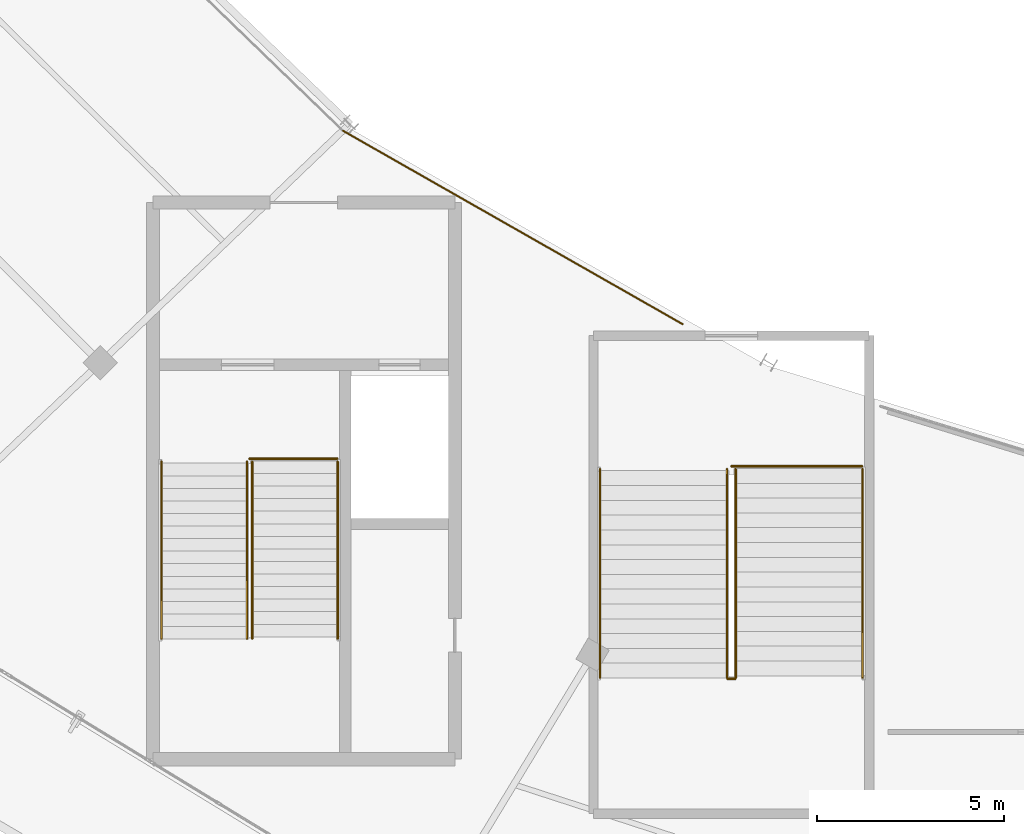
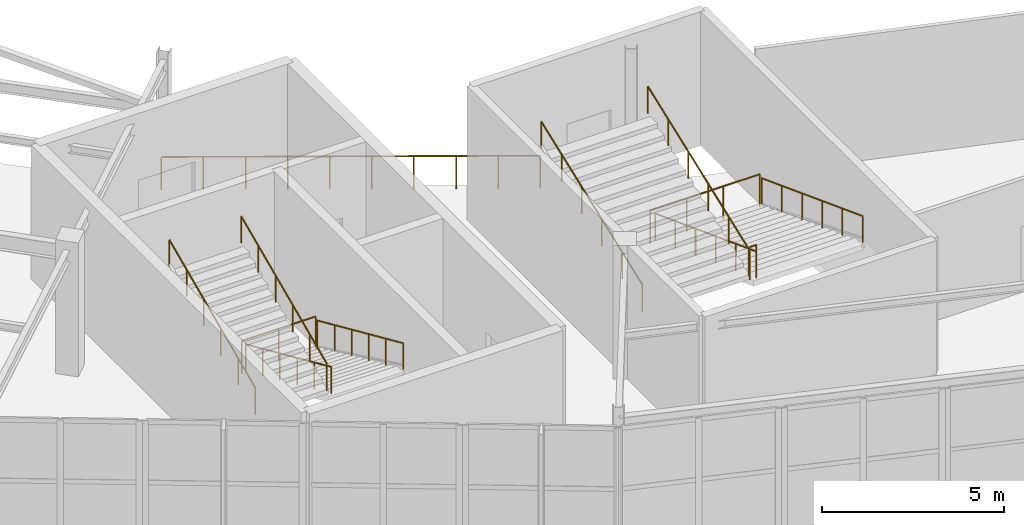
# One storey, part 116 of 126: 12 railings.
"""IFC4 building model written with IfcOpenShell, lengths in metres."""

import ifcopenshell
import ifcopenshell.guid

model = None  # the IFC model being written
_history = None  # IfcOwnerHistory: only IFC2X3 demands one
_inside = {}  # id of a spatial element -> (the spatial element, [elements in it])
_under = {}  # id of a project, library or spatial element -> (it, [spatial elements below it])
_declared = {}  # id of a project -> (the project, [libraries it declares])
_typed = {}  # id of a type object -> (the type object, [elements of that type])
_made_of = {}  # id of a material, layer set ... -> (it, [elements and type objects made of it])


def new_model(schema):
    """Start an empty IFC model of exactly this schema.

    Asked for "IFC4X3", IfcOpenShell would pick the latest addendum, in which some entities
    have other attributes; the version numbers below select the first issue.
    IFC2X3 requires an IfcOwnerHistory on every rooted entity: one is made here for all.
    """
    global model, _history
    if schema == "IFC4X3":
        model = ifcopenshell.file(schema_version=(4, 3, 0, 0))
    else:
        model = ifcopenshell.file(schema=schema)
    _inside.clear()
    _under.clear()
    _declared.clear()
    _typed.clear()
    _made_of.clear()
    _history = None
    if model.schema == "IFC2X3":
        org = make("IfcOrganization", Name="unknown")
        user = make(
            "IfcPersonAndOrganization",
            ThePerson=make("IfcPerson", FamilyName="unknown"),
            TheOrganization=org,
        )
        app = make(
            "IfcApplication",
            ApplicationDeveloper=org,
            Version="unknown",
            ApplicationFullName="unknown",
            ApplicationIdentifier="unknown",
        )
        _history = make(
            "IfcOwnerHistory",
            OwningUser=user,
            OwningApplication=app,
            ChangeAction="ADDED",
            CreationDate=0,
        )
    return model


def make(cls, **values):
    """One entity of the class cls with the attributes given. An attribute that is None is left unset."""
    return model.create_entity(
        cls, **{name: value for name, value in values.items() if value is not None}
    )


def rooted(cls, **values):
    """An entity with a GlobalId (a new one), such as an element, a storey or a relation."""
    return make(cls, GlobalId=ifcopenshell.guid.new(), OwnerHistory=_history, **values)


def si_unit(unit_type, name, prefix=None):
    """IfcSIUnit, for example si_unit("LENGTHUNIT", "METRE", prefix="MILLI")."""
    return make("IfcSIUnit", UnitType=unit_type, Prefix=prefix, Name=name)


def assignment(units):
    """IfcUnitAssignment: the units of a project."""
    return None if units is None else make("IfcUnitAssignment", Units=units)


def point(xyz):
    """IfcCartesianPoint."""
    return None if xyz is None else make("IfcCartesianPoint", Coordinates=xyz)


def direction(xyz):
    """IfcDirection."""
    return None if xyz is None else make("IfcDirection", DirectionRatios=xyz)


def frame(location, z_axis=None, x_axis=None):
    """IfcAxis2Placement3D, a coordinate frame: its origin and axes. An axis left out is left unset."""
    return make(
        "IfcAxis2Placement3D",
        Location=point(location),
        Axis=direction(z_axis),
        RefDirection=direction(x_axis),
    )


def frame_2d(location, x_axis=None):
    """IfcAxis2Placement2D, a coordinate frame in the plane: its origin and x axis."""
    return make(
        "IfcAxis2Placement2D", Location=point(location), RefDirection=direction(x_axis)
    )


def origin():
    """The frame at (0, 0, 0) with its axes left unset."""
    return frame((0.0, 0.0, 0.0))


def origin_2d():
    """The frame at (0, 0) in the plane with its x axis left unset."""
    return frame_2d((0.0, 0.0))


def place(relative_to, where):
    """IfcLocalPlacement: puts the frame where relative to a parent placement (None: the world)."""
    return make(
        "IfcLocalPlacement", PlacementRelTo=relative_to, RelativePlacement=where
    )


def context(
    kind, dimensions, precision=None, world=None, true_north=None, identifier=None
):
    """IfcGeometricRepresentationContext, for example the 3D "Model" context."""
    return make(
        "IfcGeometricRepresentationContext",
        ContextIdentifier=identifier,
        ContextType=kind,
        CoordinateSpaceDimension=dimensions,
        Precision=precision,
        WorldCoordinateSystem=world,
        TrueNorth=true_north,
    )


def subcontext(parent, identifier, kind, view, scale=None):
    """IfcGeometricRepresentationSubContext, for example "Body" below "Model"."""
    return make(
        "IfcGeometricRepresentationSubContext",
        ContextIdentifier=identifier,
        ContextType=kind,
        ParentContext=parent,
        TargetScale=scale,
        TargetView=view,
    )


def project(units=None, contexts=None):
    """IfcProject with its units and contexts."""
    return rooted(
        "IfcProject",
        Name="project",
        RepresentationContexts=contexts,
        UnitsInContext=assignment(units),
    )


def spatial(cls, under=None, at=None, **own):
    """A site, building, storey or space (cls), placed at a placement, below another one or the project."""
    s = rooted(cls, ObjectPlacement=at, **own)
    if under is not None:
        _under.setdefault(under.id(), (under, []))[1].append(s)
    return s


def profile(cls, at=None, kind="AREA", **sizes):
    """A parametric profile (cls). Its sizes go by their IFC names, for example OverallWidth=200.0."""
    return make(cls, ProfileType=kind, Position=at, **sizes)


def circle(**sizes):
    """IfcCircleProfileDef."""
    return profile("IfcCircleProfileDef", **sizes)


def extrude(swept, where, along, depth):
    """IfcExtrudedAreaSolid: the profile swept, set in the frame where, extruded along a direction by depth."""
    return make(
        "IfcExtrudedAreaSolid",
        SweptArea=swept,
        Position=where,
        ExtrudedDirection=direction(along),
        Depth=depth,
    )


def shape(context_of_items, identifier, shape_type, items):
    """IfcShapeRepresentation: the items that make up one representation, for example the "Body"."""
    return make(
        "IfcShapeRepresentation",
        ContextOfItems=context_of_items,
        RepresentationIdentifier=identifier,
        RepresentationType=shape_type,
        Items=items,
    )


def material(Name=None, Category=None):
    """IfcMaterial."""
    return make("IfcMaterial", Name=Name, Category=Category)


def made_of(thing, what):
    """Note that an element or type object is made of a material, layer set ...; save() writes the relation."""
    if what is not None:
        _made_of.setdefault(what.id(), (what, []))[1].append(thing)
    return thing


def type_object(cls, material=None, **own):
    """A type object (cls), such as IfcWallType, which elements share."""
    return made_of(rooted(cls, **own), material)


def element(
    cls,
    number,
    at=None,
    inside=None,
    cuts=None,
    type_object=None,
    material=None,
    context=None,
    identifier="Body",
    shape_type=None,
    held_by="IfcProductDefinitionShape",
    body=None,
    shapes=None,
    **own,
):
    """One element of the class cls, such as IfcWall. Its Tag is "e" and its number.

    at: its placement. inside: the storey or other place that contains it. cuts: it is an
    opening in that element (IfcRelVoidsElement). A single representation is given by context,
    identifier, shape_type and body (its items); several are given by shapes. held_by: the class
    of the entity that holds the representations. save() writes the other relations.
    """
    e = rooted(cls, Tag="e%d" % number, ObjectPlacement=at, **own)
    if body is not None:
        shapes = [shape(context, identifier, shape_type, body)]
    if shapes is not None:
        e.Representation = make(held_by, Representations=shapes)
    if inside is not None:
        _inside.setdefault(inside.id(), (inside, []))[1].append(e)
    if cuts is not None:
        rooted(
            "IfcRelVoidsElement", RelatingBuildingElement=cuts, RelatedOpeningElement=e
        )
    if type_object is not None:
        _typed.setdefault(type_object.id(), (type_object, []))[1].append(e)
    return made_of(e, material)


def aggregate(whole, parts):
    """IfcRelAggregates: a whole, such as a stair, and the parts it consists of."""
    return rooted("IfcRelAggregates", RelatingObject=whole, RelatedObjects=parts)


def save(model, path):
    """Write the relations noted so far, then the file.

    IfcRelAggregates (storeys below a building ...), IfcRelContainedInSpatialStructure (elements
    in a storey), IfcRelDefinesByType, IfcRelAssociatesMaterial and IfcRelDeclares: one each for
    every whole, place, type object, material and project.
    """
    for whole, parts in _under.values():
        aggregate(whole, parts)
    for where, things in _inside.values():
        rooted(
            "IfcRelContainedInSpatialStructure",
            RelatedElements=things,
            RelatingStructure=where,
        )
    for kind, things in _typed.values():
        rooted("IfcRelDefinesByType", RelatedObjects=things, RelatingType=kind)
    for what, things in _made_of.values():
        rooted("IfcRelAssociatesMaterial", RelatedObjects=things, RelatingMaterial=what)
    for by, libraries in _declared.values():
        rooted("IfcRelDeclares", RelatingContext=by, RelatedDefinitions=libraries)
    model.write(path)


model = new_model("IFC4")

# Units and contexts
model_context = context("Model", 3, precision=1e-05, world=origin(), true_north=direction((0.0, 1.0)))
body_context = subcontext(model_context, "Body", "Model", "MODEL_VIEW")
ifc_project = project(units=[si_unit("LENGTHUNIT", "METRE"), si_unit("AREAUNIT", "SQUARE_METRE"), si_unit("VOLUMEUNIT", "CUBIC_METRE"), si_unit("PLANEANGLEUNIT", "RADIAN"), si_unit("MASSUNIT", "GRAM", prefix="KILO")], contexts=[model_context])

# Site, building, storey
site_placement = place(None, origin())
site = spatial("IfcSite", under=ifc_project, at=site_placement, CompositionType="ELEMENT")
building_placement = place(site_placement, origin())
building = spatial("IfcBuilding", under=site, at=building_placement, Name="Kalgoora Escarpment Arena", CompositionType="ELEMENT")
storey_placement = place(building_placement, frame((0.0, 0.0, 18.89990234375)))
storey = spatial("IfcBuildingStorey", under=building, at=storey_placement, Name="L04", CompositionType="ELEMENT", Elevation=18.89990234375)

# Railings
ifc_material_1 = material(Name="Galvanised & powdercoated tubular steel", Category="steel")
railing_type_1 = type_object("IfcRailingType", Name="RAL-GUARD-1120", PredefinedType="GUARDRAIL", material=ifc_material_1)
railing_1_placement = place(storey_placement, frame((53.889892578125, 26.7900390625, 0.0)))
element("IfcRailing", 1, at=railing_1_placement, inside=storey, type_object=railing_type_1, Name="ST05 L04 floor landing well guard", PredefinedType="GUARDRAIL", context=body_context, shape_type="SweptSolid", body=[
    extrude(circle(Radius=0.02392578125, at=origin_2d()), frame((0.0, 0.0, 1.09619140625), z_axis=(-1.0, 0.0, 0.0), x_axis=(0.0, -1.0, 0.0)), (0.0, 0.0, 1.0), 2.33984375),
    extrude(circle(Radius=0.02099609375, at=origin_2d()), origin(), (0.0, 0.0, 1.0), 1.072021484375),
    extrude(circle(Radius=0.02099609375, at=origin_2d()), frame((-1.169921875, 0.0, 0.0)), (0.0, 0.0, 1.0), 1.072021484375),
    extrude(circle(Radius=0.02099609375, at=origin_2d()), frame((-2.33984375, 0.0, 0.0)), (0.0, 0.0, 1.0), 1.072021484375),
])
railing_2_placement = place(storey_placement, frame((64.5048828125, 20.919921875, 2.25)))
element("IfcRailing", 2, at=railing_2_placement, inside=storey, type_object=railing_type_1, Name="ST13 L04 half-landing well guard", PredefinedType="GUARDRAIL", context=body_context, shape_type="SweptSolid", body=[
    extrude(circle(Radius=0.02392578125, at=origin_2d()), frame((0.0, 0.0, 1.09619140625), z_axis=(-1.0, 0.0, 0.0), x_axis=(0.0, -1.0, 0.0)), (0.0, 0.0, 1.0), 0.2099609375),
    extrude(circle(Radius=0.02099609375, at=origin_2d()), origin(), (0.0, 0.0, 1.0), 1.072021484375),
    extrude(circle(Radius=0.02099609375, at=origin_2d()), frame((-0.2099609375, 0.0, 0.0)), (0.0, 0.0, 1.0), 1.072021484375),
])
railing_3_placement = place(storey_placement, frame((67.889892578125, 26.590087890625, 0.0)))
element("IfcRailing", 3, at=railing_3_placement, inside=storey, type_object=railing_type_1, Name="ST13 L04 floor landing well guard", PredefinedType="GUARDRAIL", context=body_context, shape_type="SweptSolid", body=[
    extrude(circle(Radius=0.02392578125, at=origin_2d()), frame((0.0, 0.0, 1.09619140625), z_axis=(-1.0, 0.0, 0.0), x_axis=(0.0, -1.0, 0.0)), (0.0, 0.0, 1.0), 3.489990234375),
    extrude(circle(Radius=0.02099609375, at=origin_2d()), origin(), (0.0, 0.0, 1.0), 1.072021484375),
    extrude(circle(Radius=0.02099609375, at=origin_2d()), frame((-1.163330078125, 0.0, 0.0)), (0.0, 0.0, 1.0), 1.072021484375),
    extrude(circle(Radius=0.02099609375, at=origin_2d()), frame((-2.32666015625, 0.0, 0.0)), (0.0, 0.0, 1.0), 1.072021484375),
    extrude(circle(Radius=0.02099609375, at=origin_2d()), frame((-3.489990234375, 0.0, 0.0)), (0.0, 0.0, 1.0), 1.072021484375),
])
railing_4_placement = place(storey_placement, frame((54.03955078125, 35.5390625, 0.0)))
element("IfcRailing", 4, at=railing_4_placement, inside=storey, type_object=railing_type_1, Name="L04 concourse bowl balustrade 16", PredefinedType="GUARDRAIL", context=body_context, shape_type="SweptSolid", body=[
    extrude(circle(Radius=0.02392578125, at=origin_2d()), frame((0.0, 0.0, 1.09619140625), z_axis=(0.869025858852, -0.494766668892, 0.0), x_axis=(0.494766668892, 0.869025858852, 0.0)), (0.0, 0.0, 1.0), 10.427490234375),
    extrude(circle(Radius=0.02099609375, at=origin_2d()), origin(), (0.0, 0.0, 1.0), 1.072021484375),
    extrude(circle(Radius=0.02099609375, at=origin_2d()), frame((1.0068359375, -0.5732421875, 0.0)), (0.0, 0.0, 1.0), 1.072021484375),
    extrude(circle(Radius=0.02099609375, at=origin_2d()), frame((2.013671875, -1.146484375, 0.0)), (0.0, 0.0, 1.0), 1.072021484375),
    extrude(circle(Radius=0.02099609375, at=origin_2d()), frame((3.0205078125, -1.7197265625, 0.0)), (0.0, 0.0, 1.0), 1.072021484375),
    extrude(circle(Radius=0.02099609375, at=origin_2d()), frame((4.02734375, -2.29296875, 0.0)), (0.0, 0.0, 1.0), 1.072021484375),
    extrude(circle(Radius=0.02099609375, at=origin_2d()), frame((5.034423828125, -2.8662109375, 0.0)), (0.0, 0.0, 1.0), 1.072021484375),
    extrude(circle(Radius=0.02099609375, at=origin_2d()), frame((6.041259765625, -3.439453125, 0.0)), (0.0, 0.0, 1.0), 1.072021484375),
    extrude(circle(Radius=0.02099609375, at=origin_2d()), frame((7.048095703125, -4.0126953125, 0.0)), (0.0, 0.0, 1.0), 1.072021484375),
    extrude(circle(Radius=0.02099609375, at=origin_2d()), frame((8.054931640625, -4.5859375, 0.0)), (0.0, 0.0, 1.0), 1.072021484375),
    extrude(circle(Radius=0.02099609375, at=origin_2d()), frame((9.061767578125, -5.1591796875, 0.0)), (0.0, 0.0, 1.0), 1.072021484375),
])
ifc_material_2 = material(Name="Brushed stainless steel 316 handrail", Category="steel")
railing_type_2 = type_object("IfcRailingType", Name="RAL-HAND-920", PredefinedType="HANDRAIL", material=ifc_material_2)
for number, where, name in (
    (5, (53.89990234375, 26.7099609375, 0.110107421875), "ST05 L04 pitched stair handrail F1L"),
    (6, (51.6201171875, 26.7099609375, 0.110107421875), "ST05 L04 pitched stair handrail F1R"),
):
    element("IfcRailing", number, at=place(storey_placement, frame(where)), inside=storey, type_object=railing_type_2, Name=name, PredefinedType="HANDRAIL", context=body_context, shape_type="SweptSolid", body=[
        extrude(circle(Radius=0.02392578125, at=origin_2d()), frame((0.0, 0.0, 0.89599609375), z_axis=(0.0, -0.913643874524, 0.406515523129), x_axis=(1.0, 0.0, 0.0)), (0.0, 0.0, 1.0), 5.166015625),
        extrude(circle(Radius=0.02099609375, at=origin_2d()), origin(), (0.0, 0.0, 1.0), 0.871826171875),
        extrude(circle(Radius=0.02099609375, at=origin_2d()), frame((0.0, -0.944091796875, 0.419921875)), (0.0, 0.0, 1.0), 0.871826171875),
        extrude(circle(Radius=0.02099609375, at=origin_2d()), frame((0.0, -1.887939453125, 0.840087890625)), (0.0, 0.0, 1.0), 0.871826171875),
        extrude(circle(Radius=0.02099609375, at=origin_2d()), frame((0.0, -2.83203125, 1.260009765625)), (0.0, 0.0, 1.0), 0.871826171875),
        extrude(circle(Radius=0.02099609375, at=origin_2d()), frame((0.0, -3.77587890625, 1.68017578125)), (0.0, 0.0, 1.0), 0.871826171875),
        extrude(circle(Radius=0.02099609375, at=origin_2d()), frame((0.0, -4.719970703125, 2.10009765625)), (0.0, 0.0, 1.0), 0.871826171875),
    ])
for number, where, name in (
    (7, (51.47998046875, 21.989990234375, 2.360107421875), "ST05 L04 pitched stair handrail F2L"),
    (8, (49.199951171875, 21.989990234375, 2.360107421875), "ST05 L04 pitched stair handrail F2R"),
):
    element("IfcRailing", number, at=place(storey_placement, frame(where)), inside=storey, type_object=railing_type_2, Name=name, PredefinedType="HANDRAIL", context=body_context, shape_type="SweptSolid", body=[
        extrude(circle(Radius=0.02392578125, at=origin_2d()), frame((0.0, 0.0, 0.89599609375), z_axis=(0.0, 0.913643874524, 0.406515523129), x_axis=(-1.0, 0.0, 0.0)), (0.0, 0.0, 1.0), 5.166015625),
        extrude(circle(Radius=0.02099609375, at=origin_2d()), origin(), (0.0, 0.0, 1.0), 0.871826171875),
        extrude(circle(Radius=0.02099609375, at=origin_2d()), frame((0.0, 0.944091796875, 0.419921875)), (0.0, 0.0, 1.0), 0.871826171875),
        extrude(circle(Radius=0.02099609375, at=origin_2d()), frame((0.0, 1.887939453125, 0.840087890625)), (0.0, 0.0, 1.0), 0.871826171875),
        extrude(circle(Radius=0.02099609375, at=origin_2d()), frame((0.0, 2.83203125, 1.260009765625)), (0.0, 0.0, 1.0), 0.871826171875),
        extrude(circle(Radius=0.02099609375, at=origin_2d()), frame((0.0, 3.77587890625, 1.68017578125)), (0.0, 0.0, 1.0), 0.871826171875),
        extrude(circle(Radius=0.02099609375, at=origin_2d()), frame((0.0, 4.719970703125, 2.10009765625)), (0.0, 0.0, 1.0), 0.871826171875),
    ])
for number, where, name in (
    (9, (67.89990234375, 26.510009765625, 0.110107421875), "ST13 L04 pitched stair handrail F1L"),
    (10, (64.514892578125, 26.510009765625, 0.110107421875), "ST13 L04 pitched stair handrail F1R"),
):
    element("IfcRailing", number, at=place(storey_placement, frame(where)), inside=storey, type_object=railing_type_2, Name=name, PredefinedType="HANDRAIL", context=body_context, shape_type="SweptSolid", body=[
        extrude(circle(Radius=0.02392578125, at=origin_2d()), frame((0.0, 0.0, 0.89599609375), z_axis=(0.0, -0.935492612948, 0.353346248203), x_axis=(1.0, 0.0, 0.0)), (0.0, 0.0, 1.0), 5.943359375),
        extrude(circle(Radius=0.02099609375, at=origin_2d()), origin(), (0.0, 0.0, 1.0), 0.871826171875),
        extrude(circle(Radius=0.02099609375, at=origin_2d()), frame((0.0, -1.112060546875, 0.419921875)), (0.0, 0.0, 1.0), 0.871826171875),
        extrude(circle(Radius=0.02099609375, at=origin_2d()), frame((0.0, -2.22412109375, 0.840087890625)), (0.0, 0.0, 1.0), 0.871826171875),
        extrude(circle(Radius=0.02099609375, at=origin_2d()), frame((0.0, -3.3359375, 1.260009765625)), (0.0, 0.0, 1.0), 0.871826171875),
        extrude(circle(Radius=0.02099609375, at=origin_2d()), frame((0.0, -4.447998046875, 1.68017578125)), (0.0, 0.0, 1.0), 0.871826171875),
        extrude(circle(Radius=0.02099609375, at=origin_2d()), frame((0.0, -5.56005859375, 2.10009765625)), (0.0, 0.0, 1.0), 0.871826171875),
    ])
for number, where, name in (
    (11, (64.284912109375, 20.949951171875, 2.360107421875), "ST13 L04 pitched stair handrail F2L"),
    (12, (60.89990234375, 20.949951171875, 2.360107421875), "ST13 L04 pitched stair handrail F2R"),
):
    element("IfcRailing", number, at=place(storey_placement, frame(where)), inside=storey, type_object=railing_type_2, Name=name, PredefinedType="HANDRAIL", context=body_context, shape_type="SweptSolid", body=[
        extrude(circle(Radius=0.02392578125, at=origin_2d()), frame((0.0, 0.0, 0.89599609375), z_axis=(0.0, 0.935492612948, 0.353346248203), x_axis=(-1.0, 0.0, 0.0)), (0.0, 0.0, 1.0), 5.943359375),
        extrude(circle(Radius=0.02099609375, at=origin_2d()), origin(), (0.0, 0.0, 1.0), 0.871826171875),
        extrude(circle(Radius=0.02099609375, at=origin_2d()), frame((0.0, 1.112060546875, 0.419921875)), (0.0, 0.0, 1.0), 0.871826171875),
        extrude(circle(Radius=0.02099609375, at=origin_2d()), frame((0.0, 2.22412109375, 0.840087890625)), (0.0, 0.0, 1.0), 0.871826171875),
        extrude(circle(Radius=0.02099609375, at=origin_2d()), frame((0.0, 3.3359375, 1.260009765625)), (0.0, 0.0, 1.0), 0.871826171875),
        extrude(circle(Radius=0.02099609375, at=origin_2d()), frame((0.0, 4.447998046875, 1.68017578125)), (0.0, 0.0, 1.0), 0.871826171875),
        extrude(circle(Radius=0.02099609375, at=origin_2d()), frame((0.0, 5.56005859375, 2.10009765625)), (0.0, 0.0, 1.0), 0.871826171875),
    ])

save(model, "model.ifc")
